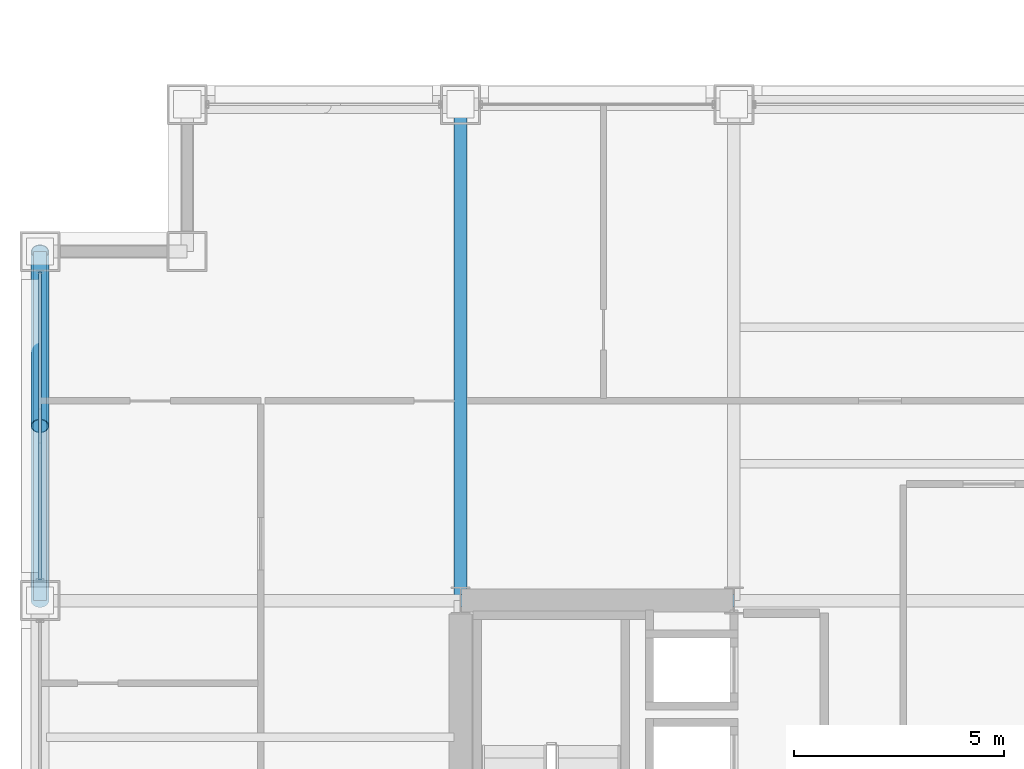
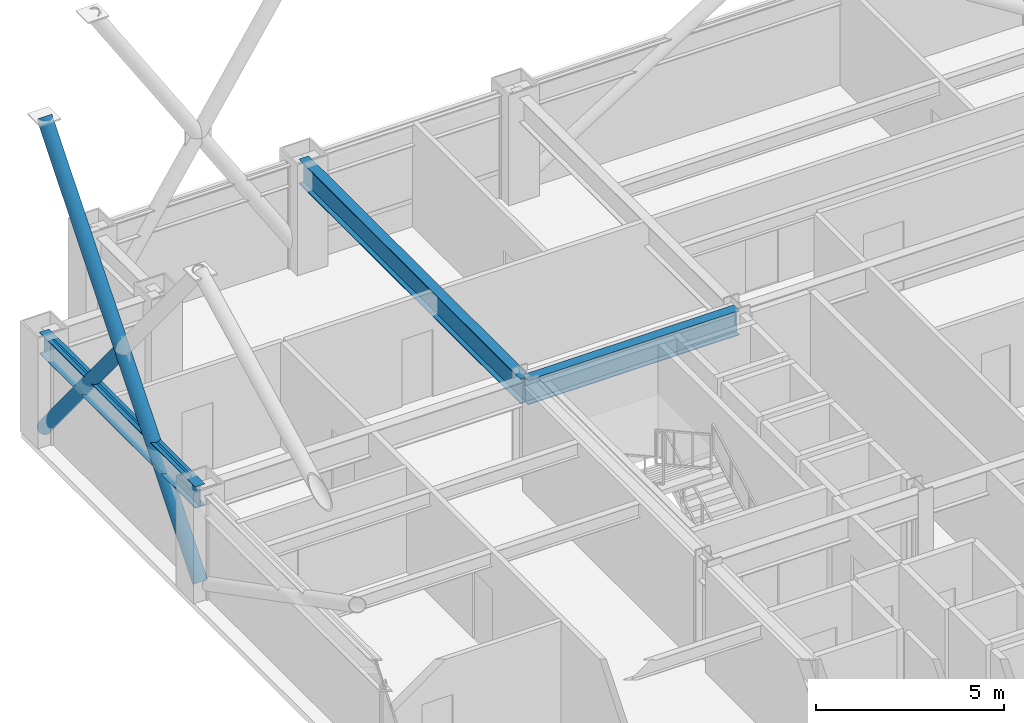
# One storey, part 18 of 34: 3 beams, 3 members, 1 element without a shape of its own.
"""IFC4 building model written with IfcOpenShell, lengths in metres."""

import ifcopenshell
import ifcopenshell.guid

model = None  # the IFC model being written
_history = None  # IfcOwnerHistory: only IFC2X3 demands one
_inside = {}  # id of a spatial element -> (the spatial element, [elements in it])
_under = {}  # id of a project, library or spatial element -> (it, [spatial elements below it])
_declared = {}  # id of a project -> (the project, [libraries it declares])
_typed = {}  # id of a type object -> (the type object, [elements of that type])
_made_of = {}  # id of a material, layer set ... -> (it, [elements and type objects made of it])


def new_model(schema):
    """Start an empty IFC model of exactly this schema.

    Asked for "IFC4X3", IfcOpenShell would pick the latest addendum, in which some entities
    have other attributes; the version numbers below select the first issue.
    IFC2X3 requires an IfcOwnerHistory on every rooted entity: one is made here for all.
    """
    global model, _history
    if schema == "IFC4X3":
        model = ifcopenshell.file(schema_version=(4, 3, 0, 0))
    else:
        model = ifcopenshell.file(schema=schema)
    _inside.clear()
    _under.clear()
    _declared.clear()
    _typed.clear()
    _made_of.clear()
    _history = None
    if model.schema == "IFC2X3":
        org = make("IfcOrganization", Name="unknown")
        user = make(
            "IfcPersonAndOrganization",
            ThePerson=make("IfcPerson", FamilyName="unknown"),
            TheOrganization=org,
        )
        app = make(
            "IfcApplication",
            ApplicationDeveloper=org,
            Version="unknown",
            ApplicationFullName="unknown",
            ApplicationIdentifier="unknown",
        )
        _history = make(
            "IfcOwnerHistory",
            OwningUser=user,
            OwningApplication=app,
            ChangeAction="ADDED",
            CreationDate=0,
        )
    return model


def make(cls, **values):
    """One entity of the class cls with the attributes given. An attribute that is None is left unset."""
    return model.create_entity(
        cls, **{name: value for name, value in values.items() if value is not None}
    )


def rooted(cls, **values):
    """An entity with a GlobalId (a new one), such as an element, a storey or a relation."""
    return make(cls, GlobalId=ifcopenshell.guid.new(), OwnerHistory=_history, **values)


def si_unit(unit_type, name, prefix=None):
    """IfcSIUnit, for example si_unit("LENGTHUNIT", "METRE", prefix="MILLI")."""
    return make("IfcSIUnit", UnitType=unit_type, Prefix=prefix, Name=name)


def assignment(units):
    """IfcUnitAssignment: the units of a project."""
    return None if units is None else make("IfcUnitAssignment", Units=units)


def point(xyz):
    """IfcCartesianPoint."""
    return None if xyz is None else make("IfcCartesianPoint", Coordinates=xyz)


def direction(xyz):
    """IfcDirection."""
    return None if xyz is None else make("IfcDirection", DirectionRatios=xyz)


def frame(location, z_axis=None, x_axis=None):
    """IfcAxis2Placement3D, a coordinate frame: its origin and axes. An axis left out is left unset."""
    return make(
        "IfcAxis2Placement3D",
        Location=point(location),
        Axis=direction(z_axis),
        RefDirection=direction(x_axis),
    )


def frame_2d(location, x_axis=None):
    """IfcAxis2Placement2D, a coordinate frame in the plane: its origin and x axis."""
    return make(
        "IfcAxis2Placement2D", Location=point(location), RefDirection=direction(x_axis)
    )


def origin():
    """The frame at (0, 0, 0) with its axes left unset."""
    return frame((0.0, 0.0, 0.0))


def origin_2d():
    """The frame at (0, 0) in the plane with its x axis left unset."""
    return frame_2d((0.0, 0.0))


def place(relative_to, where):
    """IfcLocalPlacement: puts the frame where relative to a parent placement (None: the world)."""
    return make(
        "IfcLocalPlacement", PlacementRelTo=relative_to, RelativePlacement=where
    )


def context(
    kind, dimensions, precision=None, world=None, true_north=None, identifier=None
):
    """IfcGeometricRepresentationContext, for example the 3D "Model" context."""
    return make(
        "IfcGeometricRepresentationContext",
        ContextIdentifier=identifier,
        ContextType=kind,
        CoordinateSpaceDimension=dimensions,
        Precision=precision,
        WorldCoordinateSystem=world,
        TrueNorth=true_north,
    )


def subcontext(parent, identifier, kind, view, scale=None):
    """IfcGeometricRepresentationSubContext, for example "Body" below "Model"."""
    return make(
        "IfcGeometricRepresentationSubContext",
        ContextIdentifier=identifier,
        ContextType=kind,
        ParentContext=parent,
        TargetScale=scale,
        TargetView=view,
    )


def project(units=None, contexts=None):
    """IfcProject with its units and contexts."""
    return rooted(
        "IfcProject",
        Name="project",
        RepresentationContexts=contexts,
        UnitsInContext=assignment(units),
    )


def spatial(cls, under=None, at=None, **own):
    """A site, building, storey or space (cls), placed at a placement, below another one or the project."""
    s = rooted(cls, ObjectPlacement=at, **own)
    if under is not None:
        _under.setdefault(under.id(), (under, []))[1].append(s)
    return s


def profile(cls, at=None, kind="AREA", **sizes):
    """A parametric profile (cls). Its sizes go by their IFC names, for example OverallWidth=200.0."""
    return make(cls, ProfileType=kind, Position=at, **sizes)


def hollow_rectangle(**sizes):
    """IfcRectangleHollowProfileDef."""
    return profile("IfcRectangleHollowProfileDef", **sizes)


def hollow_circle(**sizes):
    """IfcCircleHollowProfileDef."""
    return profile("IfcCircleHollowProfileDef", **sizes)


def i_section(**sizes):
    """IfcIShapeProfileDef."""
    return profile("IfcIShapeProfileDef", **sizes)


def extrude(swept, where, along, depth):
    """IfcExtrudedAreaSolid: the profile swept, set in the frame where, extruded along a direction by depth."""
    return make(
        "IfcExtrudedAreaSolid",
        SweptArea=swept,
        Position=where,
        ExtrudedDirection=direction(along),
        Depth=depth,
    )


def shape(context_of_items, identifier, shape_type, items):
    """IfcShapeRepresentation: the items that make up one representation, for example the "Body"."""
    return make(
        "IfcShapeRepresentation",
        ContextOfItems=context_of_items,
        RepresentationIdentifier=identifier,
        RepresentationType=shape_type,
        Items=items,
    )


def material(Name=None, Category=None):
    """IfcMaterial."""
    return make("IfcMaterial", Name=Name, Category=Category)


def layer(
    of_material, thickness, ventilated=None, Name=None, Category=None, Priority=None
):
    """IfcMaterialLayer: one layer of a wall or slab, of a material (None: an air gap)."""
    return make(
        "IfcMaterialLayer",
        Material=of_material,
        LayerThickness=thickness,
        IsVentilated=ventilated,
        Name=Name,
        Category=Category,
        Priority=Priority,
    )


def layer_set(layers, Name=None):
    """IfcMaterialLayerSet."""
    return make("IfcMaterialLayerSet", MaterialLayers=layers, LayerSetName=Name)


def material_profile(
    of_material, cross_section, Name=None, Category=None, Priority=None
):
    """IfcMaterialProfile: a cross section and its material."""
    return make(
        "IfcMaterialProfile",
        Name=Name,
        Material=of_material,
        Profile=cross_section,
        Priority=Priority,
        Category=Category,
    )


def profile_set(profiles, Name=None, composite=None):
    """IfcMaterialProfileSet."""
    return make(
        "IfcMaterialProfileSet",
        Name=Name,
        MaterialProfiles=profiles,
        CompositeProfile=composite,
    )


def made_of(thing, what):
    """Note that an element or type object is made of a material, layer set ...; save() writes the relation."""
    if what is not None:
        _made_of.setdefault(what.id(), (what, []))[1].append(thing)
    return thing


def type_object(cls, material=None, **own):
    """A type object (cls), such as IfcWallType, which elements share."""
    return made_of(rooted(cls, **own), material)


def element(
    cls,
    number,
    at=None,
    inside=None,
    cuts=None,
    type_object=None,
    material=None,
    context=None,
    identifier="Body",
    shape_type=None,
    held_by="IfcProductDefinitionShape",
    body=None,
    shapes=None,
    **own,
):
    """One element of the class cls, such as IfcWall. Its Tag is "e" and its number.

    at: its placement. inside: the storey or other place that contains it. cuts: it is an
    opening in that element (IfcRelVoidsElement). A single representation is given by context,
    identifier, shape_type and body (its items); several are given by shapes. held_by: the class
    of the entity that holds the representations. save() writes the other relations.
    """
    e = rooted(cls, Tag="e%d" % number, ObjectPlacement=at, **own)
    if body is not None:
        shapes = [shape(context, identifier, shape_type, body)]
    if shapes is not None:
        e.Representation = make(held_by, Representations=shapes)
    if inside is not None:
        _inside.setdefault(inside.id(), (inside, []))[1].append(e)
    if cuts is not None:
        rooted(
            "IfcRelVoidsElement", RelatingBuildingElement=cuts, RelatedOpeningElement=e
        )
    if type_object is not None:
        _typed.setdefault(type_object.id(), (type_object, []))[1].append(e)
    return made_of(e, material)


def aggregate(whole, parts):
    """IfcRelAggregates: a whole, such as a stair, and the parts it consists of."""
    return rooted("IfcRelAggregates", RelatingObject=whole, RelatedObjects=parts)


def save(model, path):
    """Write the relations noted so far, then the file.

    IfcRelAggregates (storeys below a building ...), IfcRelContainedInSpatialStructure (elements
    in a storey), IfcRelDefinesByType, IfcRelAssociatesMaterial and IfcRelDeclares: one each for
    every whole, place, type object, material and project.
    """
    for whole, parts in _under.values():
        aggregate(whole, parts)
    for where, things in _inside.values():
        rooted(
            "IfcRelContainedInSpatialStructure",
            RelatedElements=things,
            RelatingStructure=where,
        )
    for kind, things in _typed.values():
        rooted("IfcRelDefinesByType", RelatedObjects=things, RelatingType=kind)
    for what, things in _made_of.values():
        rooted("IfcRelAssociatesMaterial", RelatedObjects=things, RelatingMaterial=what)
    for by, libraries in _declared.values():
        rooted("IfcRelDeclares", RelatingContext=by, RelatedDefinitions=libraries)
    model.write(path)


model = new_model("IFC4")

# Units and contexts
model_context = context("Model", 3, precision=1e-05, world=origin(), true_north=direction((0.0, 1.0)))
body_context = subcontext(model_context, "Body", "Model", "MODEL_VIEW")
ifc_project = project(units=[si_unit("LENGTHUNIT", "METRE"), si_unit("AREAUNIT", "SQUARE_METRE"), si_unit("VOLUMEUNIT", "CUBIC_METRE"), si_unit("PLANEANGLEUNIT", "RADIAN"), si_unit("MASSUNIT", "GRAM", prefix="KILO")], contexts=[model_context])

# Site, building, storey
site_placement = place(None, origin())
site = spatial("IfcSite", under=ifc_project, at=site_placement, CompositionType="ELEMENT")
building_placement = place(site_placement, origin())
building = spatial("IfcBuilding", under=site, at=building_placement, Name="Brelmoor Portico Tower", CompositionType="ELEMENT")
storey_placement = place(building_placement, frame((0.0, 0.0, 45.60009765625)))
storey = spatial("IfcBuildingStorey", under=building, at=storey_placement, Name="L11", CompositionType="ELEMENT", Elevation=45.60009765625)

# Beams
ifc_material_1 = material(Name="Steel Q355B", Category="steel")
ifc_material_profile_1 = material_profile(ifc_material_1, i_section(OverallWidth=0.300048828125, OverallDepth=0.800048828125, WebThickness=0.013916015625, FlangeThickness=0.02587890625, at=origin_2d()), Name="HN 800x300x14x26")
ifc_profile_set_1 = profile_set([ifc_material_profile_1], Name="Steel Q355B")
beam_type_1 = type_object("IfcBeamType", Name="BM-PG-800", PredefinedType="BEAM", material=ifc_profile_set_1)
beam_1_placement = place(storey_placement, frame((-14.550048828125, 9.75, 3.0), z_axis=(0.0, 1.0, 0.0), x_axis=(-1.0, 0.0, 0.0)))
element("IfcBeam", 1, at=beam_1_placement, inside=storey, type_object=beam_type_1, Name="L11 Primary Floor Girder PG-06", PredefinedType="BEAM", context=body_context, shape_type="SweptSolid", body=[
    extrude(i_section(OverallWidth=0.300048828125, OverallDepth=0.800048828125, WebThickness=0.013916015625, FlangeThickness=0.02587890625, at=origin_2d()), origin(), (0.0, 0.0, 1.0), 11.800048828125),
])
beam_2_placement = place(storey_placement, frame((-14.550048828125, 9.75, 3.0), z_axis=(1.0, 0.0, 0.0), x_axis=(0.0, 1.0, 0.0)))
element("IfcBeam", 2, at=beam_2_placement, inside=storey, type_object=beam_type_1, Name="L11 Primary Floor Girder PG-28", PredefinedType="BEAM", context=body_context, shape_type="SweptSolid", body=[
    extrude(i_section(OverallWidth=0.300048828125, OverallDepth=0.800048828125, WebThickness=0.013916015625, FlangeThickness=0.02587890625, at=origin_2d()), origin(), (0.0, 0.0, 1.0), 6.5),
])
ifc_material_profile_2 = material_profile(ifc_material_1, i_section(OverallWidth=0.300048828125, OverallDepth=0.699951171875, WebThickness=0.012939453125, FlangeThickness=0.02392578125, at=origin_2d()), Name="HN 700x300x13x24")
ifc_profile_set_2 = profile_set([ifc_material_profile_2], Name="Steel Q355B")
beam_type_2 = type_object("IfcBeamType", Name="BM-SP-700", PredefinedType="SPANDREL", material=ifc_profile_set_2)
beam_3_placement = place(storey_placement, frame((-24.550048828125, 9.75, 3.0498046875), z_axis=(0.0, 1.0, 0.0), x_axis=(-1.0, 0.0, 0.0)))
element("IfcBeam", 3, at=beam_3_placement, inside=storey, type_object=beam_type_2, Name="L11 Perimeter Spandrel Beam SP-17", PredefinedType="SPANDREL", context=body_context, shape_type="SweptSolid", body=[
    extrude(i_section(OverallWidth=0.300048828125, OverallDepth=0.699951171875, WebThickness=0.012939453125, FlangeThickness=0.02392578125, at=origin_2d()), origin(), (0.0, 0.0, 1.0), 8.300048828125),
])

# Members
ifc_material_profile_3 = material_profile(ifc_material_1, hollow_circle(Radius=0.212890625, WallThickness=0.02001953125, at=origin_2d()), Name="CHS 426x20")
ifc_profile_set_3 = profile_set([ifc_material_profile_3], Name="Steel Q355B")
member_type_1 = type_object("IfcMemberType", Name="MB-BELT-DIAG1", PredefinedType="BRACE", material=ifc_profile_set_3)
member_1_placement = place(storey_placement, frame((-24.550048828125, 9.75, 0.25), z_axis=(0.0, 0.634910260742, 0.772585892186), x_axis=(-1.0, 0.0, 0.0)))
element("IfcMember", 4, at=member_1_placement, inside=storey, type_object=member_type_1, Name="L11 Continuous Mega-X Brace 023A", PredefinedType="BRACE", context=body_context, shape_type="SweptSolid", body=[
    extrude(hollow_circle(Radius=0.212890625, WallThickness=0.02001953125, at=origin_2d()), origin(), (0.0, 0.0, 1.0), 13.07275390625),
])
member_2_placement = place(storey_placement, frame((-24.550048828125, 18.050048828125, 0.25), z_axis=(0.0, -0.634930568509, 0.772569202838), x_axis=(1.0, 0.0, 0.0)))
element("IfcMember", 5, at=member_2_placement, inside=storey, type_object=member_type_1, Name="L11 Split Mega-X Brace 023B1", PredefinedType="BRACE", context=body_context, shape_type="SweptSolid", body=[
    extrude(hollow_circle(Radius=0.212890625, WallThickness=0.02001953125, at=origin_2d()), origin(), (0.0, 0.0, 1.0), 6.536376953125),
])

# Curtain wall, member
ifc_material_2 = material(Name="Anodised Aluminium Alloy 6063-T6", Category="aluminium")
ifc_layer = layer(ifc_material_2, 0.179931640625)
ifc_layer_set = layer_set([ifc_layer], Name="Anodised Aluminium Alloy 6063-T6")
curtain_wall_type = type_object("IfcCurtainWallType", Name="CW-TOWER-Z1-XB", PredefinedType="NOTDEFINED", material=ifc_layer_set)
curtain_wall_placement = place(storey_placement, origin())
curtain_wall = element("IfcCurtainWall", 6, at=curtain_wall_placement, inside=storey, type_object=curtain_wall_type, Name="L11 Curtain Wall CW-L11-03-3", PredefinedType="NOTDEFINED")
ifc_material_profile_4 = material_profile(ifc_material_2, hollow_rectangle(XDim=0.06494140625, YDim=0.139892578125, WallThickness=0.00390625, at=origin_2d()), Name="ALU TRANSOM 65x140")
ifc_profile_set_4 = profile_set([ifc_material_profile_4], Name="Anodised Aluminium Alloy 6063-T6")
member_type_2 = type_object("IfcMemberType", Name="MB-CW-TRAN-140", PredefinedType="USERDEFINED", material=ifc_profile_set_4)
member_3_placement = place(storey_placement, frame((-24.550048828125, 10.235107421875, 3.329833984375), z_axis=(0.0, 1.0, 0.0), x_axis=(-1.0, 0.0, 0.0)))
member_3 = element("IfcMember", 7, at=member_3_placement, type_object=member_type_2, Name="CW-L11-03-3 Transom 1-00", ObjectType="TRANSOM", PredefinedType="USERDEFINED", context=body_context, shape_type="SweptSolid", body=[
    extrude(hollow_rectangle(XDim=0.06494140625, YDim=0.139892578125, WallThickness=0.00390625, at=origin_2d()), origin(), (0.0, 0.0, 1.0), 7.329833984375),
])
aggregate(curtain_wall, [member_3])

save(model, "model.ifc")
